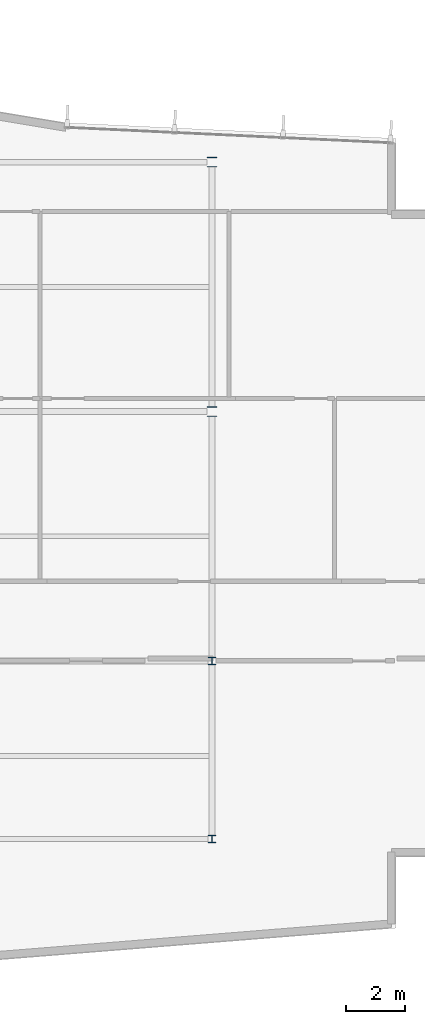
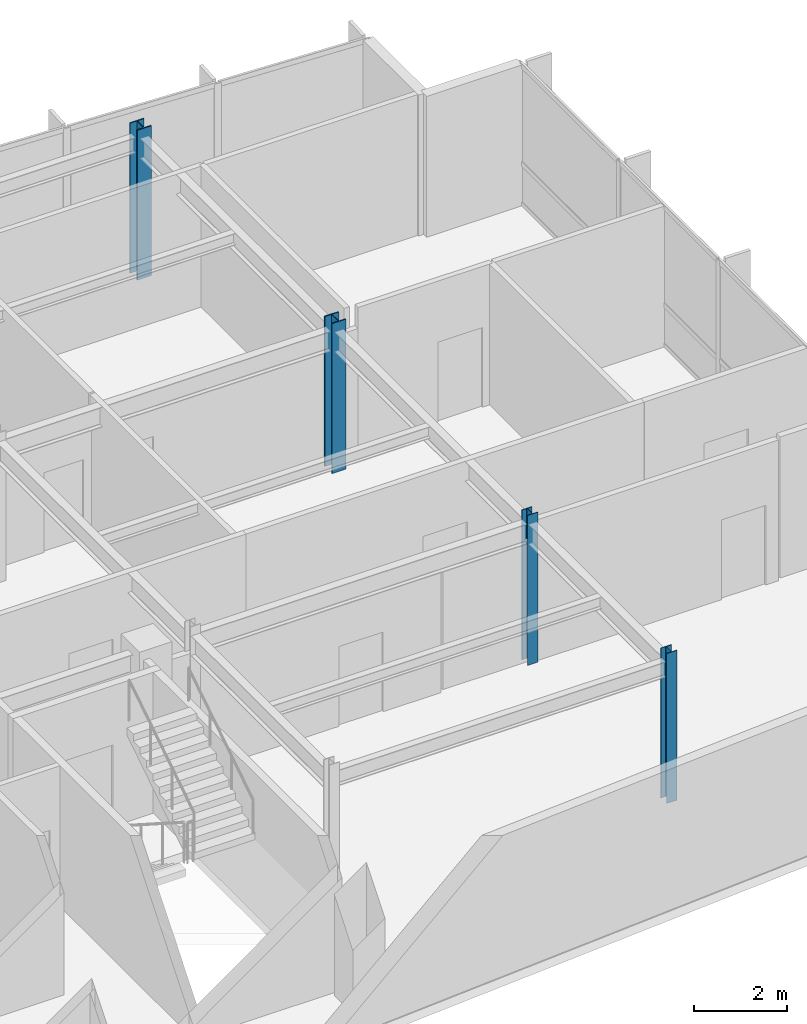
# One storey, part 3 of 16: 4 columns.
"""IFC4 building model written with IfcOpenShell, lengths in metres."""

from ifc_helpers import new_model, si_unit, direction, frame, origin, origin_2d, place, context, subcontext, project, spatial, i_section, extrude, material, material_profile, profile_set, type_object, element, save


model = new_model("IFC4")

# Units and contexts
model_context = context("Model", 3, precision=1e-05, world=origin(), true_north=direction((0.0, 1.0)))
body_context = subcontext(model_context, "Body", "Model", "MODEL_VIEW")
ifc_project = project(units=[si_unit("LENGTHUNIT", "METRE"), si_unit("AREAUNIT", "SQUARE_METRE"), si_unit("VOLUMEUNIT", "CUBIC_METRE"), si_unit("PLANEANGLEUNIT", "RADIAN"), si_unit("MASSUNIT", "GRAM", prefix="KILO")], contexts=[model_context])

# Site, building, storey
site_placement = place(None, origin())
site = spatial("IfcSite", under=ifc_project, at=site_placement, CompositionType="ELEMENT")
building_placement = place(site_placement, origin())
building = spatial("IfcBuilding", under=site, at=building_placement, Name="Varnakote Quay Hospital", CompositionType="ELEMENT")
storey_placement = place(building_placement, frame((0.0, 0.0, 268.39990234375)))
storey = spatial("IfcBuildingStorey", under=building, at=storey_placement, Name="L66", CompositionType="ELEMENT", Elevation=268.39990234375)

# Columns
ifc_material_1 = material(Name="Structural steel AS/NZS 3679.1 Grade 350 L0 (fy 340 MPa)", Category="steel")
ifc_material_profile_1 = material_profile(ifc_material_1, i_section(OverallWidth=0.25390625, OverallDepth=0.25390625, WebThickness=0.008544921875, FlangeThickness=0.01416015625, FilletRadius=0.0126953125, at=origin_2d()), Name="250UC72.9")
ifc_profile_set_1 = profile_set([ifc_material_profile_1], Name="Structural steel AS/NZS 3679.1 Grade 350 L0 (fy 340 MPa)")
column_type_1 = type_object("IfcColumnType", Name="COL-STL-250UC72-9", PredefinedType="COLUMN", material=ifc_profile_set_1)
for number, where, z_axis, x_axis, name in (
    (1, (33.60009765625, 6.0, 0.0), (0.0, 0.0, 1.0), (1.0, 0.0, 0.0), "L66 Structural Column C-34-6"),
    (2, (33.60009765625, 12.0, 0.0), (0.0, 0.0, 1.0), (1.0, 0.0, 0.0), "L66 Structural Column C-34-12"),
):
    element("IfcColumn", number, at=place(storey_placement, frame(where, z_axis=z_axis, x_axis=x_axis)), inside=storey, type_object=column_type_1, Name=name, PredefinedType="COLUMN", context=body_context, shape_type="SweptSolid", body=[
        extrude(i_section(OverallWidth=0.25390625, OverallDepth=0.25390625, WebThickness=0.008544921875, FlangeThickness=0.01416015625, FilletRadius=0.0126953125, at=origin_2d()), origin(), (0.0, 0.0, 1.0), 3.9501953125),
    ])
ifc_material_2 = material(Name="Structural steel AS/NZS 3678 Grade 350 (fy 340 MPa)", Category="steel")
ifc_material_profile_2 = material_profile(ifc_material_2, i_section(OverallWidth=0.35009765625, OverallDepth=0.340087890625, WebThickness=0.01611328125, FlangeThickness=0.028076171875, at=origin_2d()), Name="350WC197")
ifc_profile_set_2 = profile_set([ifc_material_profile_2], Name="Structural steel AS/NZS 3678 Grade 350 (fy 340 MPa)")
column_type_2 = type_object("IfcColumnType", Name="COL-STL-350WC197", PredefinedType="COLUMN", material=ifc_profile_set_2)
for number, where, z_axis, x_axis, name in (
    (3, (33.60009765625, 20.39990234375, 0.0), (0.0, 0.0, 1.0), (1.0, 0.0, 0.0), "L66 Structural Column C-34-20"),
    (4, (33.60009765625, 28.800048828125, 0.0), (0.0, 0.0, 1.0), (1.0, 0.0, 0.0), "L66 Structural Column C-34-29"),
):
    element("IfcColumn", number, at=place(storey_placement, frame(where, z_axis=z_axis, x_axis=x_axis)), inside=storey, type_object=column_type_2, Name=name, PredefinedType="COLUMN", context=body_context, shape_type="SweptSolid", body=[
        extrude(i_section(OverallWidth=0.35009765625, OverallDepth=0.340087890625, WebThickness=0.01611328125, FlangeThickness=0.028076171875, at=origin_2d()), origin(), (0.0, 0.0, 1.0), 3.9501953125),
    ])

save(model, "model.ifc")
